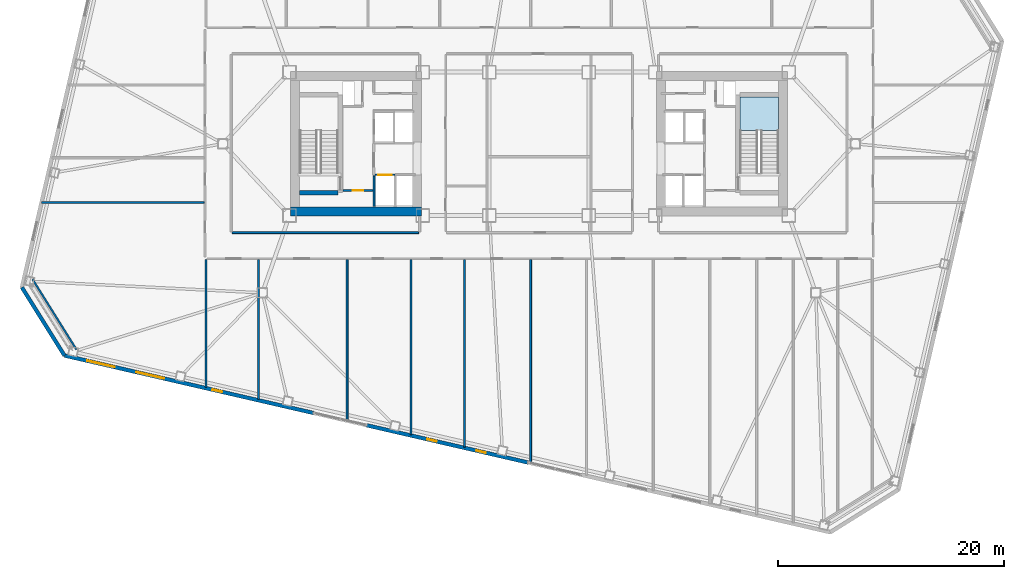
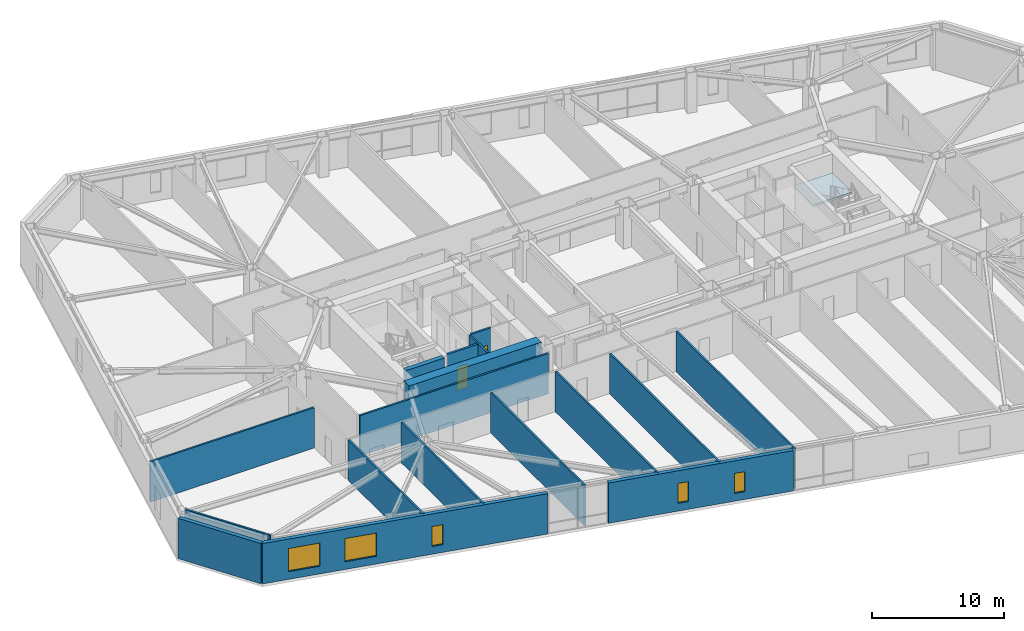
# One storey, part 9 of 19: 17 walls, 5 windows, 2 doors, 1 slab, 7 openings, 1 element without a shape of its own.
"""IFC4 building model written with IfcOpenShell, lengths in metres."""

import ifcopenshell
import ifcopenshell.guid

model = None  # the IFC model being written
_history = None  # IfcOwnerHistory: only IFC2X3 demands one
_inside = {}  # id of a spatial element -> (the spatial element, [elements in it])
_under = {}  # id of a project, library or spatial element -> (it, [spatial elements below it])
_declared = {}  # id of a project -> (the project, [libraries it declares])
_typed = {}  # id of a type object -> (the type object, [elements of that type])
_made_of = {}  # id of a material, layer set ... -> (it, [elements and type objects made of it])


def new_model(schema):
    """Start an empty IFC model of exactly this schema.

    Asked for "IFC4X3", IfcOpenShell would pick the latest addendum, in which some entities
    have other attributes; the version numbers below select the first issue.
    IFC2X3 requires an IfcOwnerHistory on every rooted entity: one is made here for all.
    """
    global model, _history
    if schema == "IFC4X3":
        model = ifcopenshell.file(schema_version=(4, 3, 0, 0))
    else:
        model = ifcopenshell.file(schema=schema)
    _inside.clear()
    _under.clear()
    _declared.clear()
    _typed.clear()
    _made_of.clear()
    _history = None
    if model.schema == "IFC2X3":
        org = make("IfcOrganization", Name="unknown")
        user = make(
            "IfcPersonAndOrganization",
            ThePerson=make("IfcPerson", FamilyName="unknown"),
            TheOrganization=org,
        )
        app = make(
            "IfcApplication",
            ApplicationDeveloper=org,
            Version="unknown",
            ApplicationFullName="unknown",
            ApplicationIdentifier="unknown",
        )
        _history = make(
            "IfcOwnerHistory",
            OwningUser=user,
            OwningApplication=app,
            ChangeAction="ADDED",
            CreationDate=0,
        )
    return model


def make(cls, **values):
    """One entity of the class cls with the attributes given. An attribute that is None is left unset."""
    return model.create_entity(
        cls, **{name: value for name, value in values.items() if value is not None}
    )


def rooted(cls, **values):
    """An entity with a GlobalId (a new one), such as an element, a storey or a relation."""
    return make(cls, GlobalId=ifcopenshell.guid.new(), OwnerHistory=_history, **values)


def si_unit(unit_type, name, prefix=None):
    """IfcSIUnit, for example si_unit("LENGTHUNIT", "METRE", prefix="MILLI")."""
    return make("IfcSIUnit", UnitType=unit_type, Prefix=prefix, Name=name)


def assignment(units):
    """IfcUnitAssignment: the units of a project."""
    return None if units is None else make("IfcUnitAssignment", Units=units)


def point(xyz):
    """IfcCartesianPoint."""
    return None if xyz is None else make("IfcCartesianPoint", Coordinates=xyz)


def direction(xyz):
    """IfcDirection."""
    return None if xyz is None else make("IfcDirection", DirectionRatios=xyz)


def frame(location, z_axis=None, x_axis=None):
    """IfcAxis2Placement3D, a coordinate frame: its origin and axes. An axis left out is left unset."""
    return make(
        "IfcAxis2Placement3D",
        Location=point(location),
        Axis=direction(z_axis),
        RefDirection=direction(x_axis),
    )


def frame_2d(location, x_axis=None):
    """IfcAxis2Placement2D, a coordinate frame in the plane: its origin and x axis."""
    return make(
        "IfcAxis2Placement2D", Location=point(location), RefDirection=direction(x_axis)
    )


def origin():
    """The frame at (0, 0, 0) with its axes left unset."""
    return frame((0.0, 0.0, 0.0))


def place(relative_to, where):
    """IfcLocalPlacement: puts the frame where relative to a parent placement (None: the world)."""
    return make(
        "IfcLocalPlacement", PlacementRelTo=relative_to, RelativePlacement=where
    )


def context(
    kind, dimensions, precision=None, world=None, true_north=None, identifier=None
):
    """IfcGeometricRepresentationContext, for example the 3D "Model" context."""
    return make(
        "IfcGeometricRepresentationContext",
        ContextIdentifier=identifier,
        ContextType=kind,
        CoordinateSpaceDimension=dimensions,
        Precision=precision,
        WorldCoordinateSystem=world,
        TrueNorth=true_north,
    )


def subcontext(parent, identifier, kind, view, scale=None):
    """IfcGeometricRepresentationSubContext, for example "Body" below "Model"."""
    return make(
        "IfcGeometricRepresentationSubContext",
        ContextIdentifier=identifier,
        ContextType=kind,
        ParentContext=parent,
        TargetScale=scale,
        TargetView=view,
    )


def project(units=None, contexts=None):
    """IfcProject with its units and contexts."""
    return rooted(
        "IfcProject",
        Name="project",
        RepresentationContexts=contexts,
        UnitsInContext=assignment(units),
    )


def spatial(cls, under=None, at=None, **own):
    """A site, building, storey or space (cls), placed at a placement, below another one or the project."""
    s = rooted(cls, ObjectPlacement=at, **own)
    if under is not None:
        _under.setdefault(under.id(), (under, []))[1].append(s)
    return s


def polyline(points):
    """IfcPolyline through the points."""
    return make("IfcPolyline", Points=[point(p) for p in points])


def profile(cls, at=None, kind="AREA", **sizes):
    """A parametric profile (cls). Its sizes go by their IFC names, for example OverallWidth=200.0."""
    return make(cls, ProfileType=kind, Position=at, **sizes)


def rectangle(**sizes):
    """IfcRectangleProfileDef."""
    return profile("IfcRectangleProfileDef", **sizes)


def outline(outer, holes=None, kind="AREA"):
    """IfcArbitraryClosedProfileDef: a profile drawn as a closed curve; with holes, ...WithVoids."""
    if holes is None:
        return make("IfcArbitraryClosedProfileDef", ProfileType=kind, OuterCurve=outer)
    return make(
        "IfcArbitraryProfileDefWithVoids",
        ProfileType=kind,
        OuterCurve=outer,
        InnerCurves=holes,
    )


def extrude(swept, where, along, depth):
    """IfcExtrudedAreaSolid: the profile swept, set in the frame where, extruded along a direction by depth."""
    return make(
        "IfcExtrudedAreaSolid",
        SweptArea=swept,
        Position=where,
        ExtrudedDirection=direction(along),
        Depth=depth,
    )


def shape(context_of_items, identifier, shape_type, items):
    """IfcShapeRepresentation: the items that make up one representation, for example the "Body"."""
    return make(
        "IfcShapeRepresentation",
        ContextOfItems=context_of_items,
        RepresentationIdentifier=identifier,
        RepresentationType=shape_type,
        Items=items,
    )


def material(Name=None, Category=None):
    """IfcMaterial."""
    return make("IfcMaterial", Name=Name, Category=Category)


def layer(
    of_material, thickness, ventilated=None, Name=None, Category=None, Priority=None
):
    """IfcMaterialLayer: one layer of a wall or slab, of a material (None: an air gap)."""
    return make(
        "IfcMaterialLayer",
        Material=of_material,
        LayerThickness=thickness,
        IsVentilated=ventilated,
        Name=Name,
        Category=Category,
        Priority=Priority,
    )


def layer_set(layers, Name=None):
    """IfcMaterialLayerSet."""
    return make("IfcMaterialLayerSet", MaterialLayers=layers, LayerSetName=Name)


def made_of(thing, what):
    """Note that an element or type object is made of a material, layer set ...; save() writes the relation."""
    if what is not None:
        _made_of.setdefault(what.id(), (what, []))[1].append(thing)
    return thing


def type_object(cls, material=None, **own):
    """A type object (cls), such as IfcWallType, which elements share."""
    return made_of(rooted(cls, **own), material)


def element(
    cls,
    number,
    at=None,
    inside=None,
    cuts=None,
    type_object=None,
    material=None,
    context=None,
    identifier="Body",
    shape_type=None,
    held_by="IfcProductDefinitionShape",
    body=None,
    shapes=None,
    **own,
):
    """One element of the class cls, such as IfcWall. Its Tag is "e" and its number.

    at: its placement. inside: the storey or other place that contains it. cuts: it is an
    opening in that element (IfcRelVoidsElement). A single representation is given by context,
    identifier, shape_type and body (its items); several are given by shapes. held_by: the class
    of the entity that holds the representations. save() writes the other relations.
    """
    e = rooted(cls, Tag="e%d" % number, ObjectPlacement=at, **own)
    if body is not None:
        shapes = [shape(context, identifier, shape_type, body)]
    if shapes is not None:
        e.Representation = make(held_by, Representations=shapes)
    if inside is not None:
        _inside.setdefault(inside.id(), (inside, []))[1].append(e)
    if cuts is not None:
        rooted(
            "IfcRelVoidsElement", RelatingBuildingElement=cuts, RelatedOpeningElement=e
        )
    if type_object is not None:
        _typed.setdefault(type_object.id(), (type_object, []))[1].append(e)
    return made_of(e, material)


def fill(opening, filler):
    """IfcRelFillsElement: the door or window that sits in an opening."""
    return rooted(
        "IfcRelFillsElement",
        RelatingOpeningElement=opening,
        RelatedBuildingElement=filler,
    )


def aggregate(whole, parts):
    """IfcRelAggregates: a whole, such as a stair, and the parts it consists of."""
    return rooted("IfcRelAggregates", RelatingObject=whole, RelatedObjects=parts)


def save(model, path):
    """Write the relations noted so far, then the file.

    IfcRelAggregates (storeys below a building ...), IfcRelContainedInSpatialStructure (elements
    in a storey), IfcRelDefinesByType, IfcRelAssociatesMaterial and IfcRelDeclares: one each for
    every whole, place, type object, material and project.
    """
    for whole, parts in _under.values():
        aggregate(whole, parts)
    for where, things in _inside.values():
        rooted(
            "IfcRelContainedInSpatialStructure",
            RelatedElements=things,
            RelatingStructure=where,
        )
    for kind, things in _typed.values():
        rooted("IfcRelDefinesByType", RelatedObjects=things, RelatingType=kind)
    for what, things in _made_of.values():
        rooted("IfcRelAssociatesMaterial", RelatedObjects=things, RelatingMaterial=what)
    for by, libraries in _declared.values():
        rooted("IfcRelDeclares", RelatingContext=by, RelatedDefinitions=libraries)
    model.write(path)


model = new_model("IFC4")

# Units and contexts
model_context = context("Model", 3, precision=1e-05, world=origin(), true_north=direction((0.0, 1.0)))
body_context = subcontext(model_context, "Body", "Model", "MODEL_VIEW")
ifc_project = project(units=[si_unit("LENGTHUNIT", "METRE"), si_unit("AREAUNIT", "SQUARE_METRE"), si_unit("VOLUMEUNIT", "CUBIC_METRE"), si_unit("PLANEANGLEUNIT", "RADIAN"), si_unit("MASSUNIT", "GRAM", prefix="KILO")], contexts=[model_context])

# Site, building, storey
site_placement = place(None, origin())
site = spatial("IfcSite", under=ifc_project, at=site_placement, CompositionType="ELEMENT")
building_placement = place(site_placement, origin())
building = spatial("IfcBuilding", under=site, at=building_placement, Name="Tavrogorsk Clinical Tower", CompositionType="ELEMENT")
storey_placement = place(building_placement, frame((0.0, 0.0, 75.39990234375)))
storey = spatial("IfcBuildingStorey", under=building, at=storey_placement, Name="L16", CompositionType="ELEMENT", Elevation=75.39990234375)

# Stair, slab
ifc_material_1 = material(Name="Concrete B60", Category="concrete")
stair_type = type_object("IfcStairType", Name="CoreStairAssembly", PredefinedType="HALF_TURN_STAIR", material=ifc_material_1)
stair_placement = place(storey_placement, origin())
stair = element("IfcStair", 1, at=stair_placement, inside=storey, type_object=stair_type, Name="L16 ST-E", PredefinedType="HALF_TURN_STAIR")
ifc_material_2 = material(Name="Concrete B60", Category="concrete")
ifc_layer_1 = layer(ifc_material_2, 0.199951171875)
ifc_layer_set_1 = layer_set([ifc_layer_1], Name="Concrete B60")
slab_type = type_object("IfcSlabType", Name="StairLanding_200", PredefinedType="LANDING", material=ifc_layer_set_1)
slab_placement = place(storey_placement, frame((0.0, 0.0, 1.800048828125)))
slab = element("IfcSlab", 2, at=slab_placement, type_object=slab_type, Name="ST-E landing 1", PredefinedType="LANDING", context=body_context, shape_type="SweptSolid", body=[
    extrude(outline(polyline([(21.199951171875, 1.1650390625), (21.199951171875, 4.125), (17.800048828125, 4.125), (17.800048828125, 1.1650390625), (21.199951171875, 1.1650390625)])), origin(), (0.0, 0.0, 1.0), 0.199951171875),
])
aggregate(stair, [slab])

# Wall, opening, door
ifc_material_3 = material(Name="Concrete B60", Category="concrete")
ifc_layer_2 = layer(ifc_material_3, 0.199951171875)
ifc_layer_set_2 = layer_set([ifc_layer_2], Name="Concrete B60")
wall_type_1 = type_object("IfcWallType", Name="CoreFireWall_200", PredefinedType="SOLIDWALL", material=ifc_layer_set_2)
wall_1_placement = place(storey_placement, frame((-17.3798828125, -4.139892578125, 0.0), z_axis=(0.0, 0.0, 1.0), x_axis=(1.0, 0.0, 0.0)))
wall_1 = element("IfcWall", 3, at=wall_1_placement, inside=storey, type_object=wall_type_1, Name="L16 Core West South Core Room Fire Wall", PredefinedType="SOLIDWALL", context=body_context, shape_type="SweptSolid", body=[
    extrude(rectangle(XDim=2.659912109375, YDim=0.199951171875, at=frame_2d((1.330078125, 0.0))), origin(), (0.0, 0.0, 1.0), 3.739990234375),
])
opening_1_placement = place(wall_1_placement, frame((0.8798828125, 0.0, 0.0)))
opening_1 = element("IfcOpeningElement", 4, at=opening_1_placement, cuts=wall_1, Name="Opening ID-02", PredefinedType="OPENING", context=body_context, shape_type="SweptSolid", body=[
    extrude(rectangle(XDim=0.949951171875, YDim=2.199951171875, at=frame_2d((0.47509765625, 1.10009765625))), frame((0.0, 0.10986328125, 0.0), z_axis=(0.0, -1.0, 0.0), x_axis=(1.0, 0.0, 0.0)), (0.0, 0.0, 1.0), 0.219970703125),
])
ifc_material_4 = material(Name="Laminated timber leaf on aluminium frame", Category="wood")
door_type_1 = type_object("IfcDoorType", Name="InteriorDoor_ID02_950", OperationType="NOTDEFINED", PredefinedType="DOOR", material=ifc_material_4)
door_1_placement = place(opening_1_placement, origin())
door_1 = element("IfcDoor", 5, at=door_1_placement, inside=storey, type_object=door_type_1, Name="L16 Core West South Core Room Door", OperationType="SINGLE_SWING_RIGHT", OverallHeight=2.199951171875, OverallWidth=0.949951171875, PredefinedType="DOOR", context=body_context, shape_type="SweptSolid", body=[
    extrude(rectangle(XDim=0.949951171875, YDim=2.199951171875, at=frame_2d((0.47509765625, 1.10009765625))), frame((0.0, 0.02490234375, 0.0), z_axis=(0.0, -1.0, 0.0), x_axis=(1.0, 0.0, 0.0)), (0.0, 0.0, 1.0), 0.050048828125),
])
fill(opening_1, door_1)

# Walls
ifc_material_5 = material(Name="Lightweight concrete blockwork B15", Category="masonry")
ifc_layer_3 = layer(ifc_material_5, 0.159912109375)
ifc_layer_set_3 = layer_set([ifc_layer_3], Name="Lightweight concrete blockwork B15")
wall_type_2 = type_object("IfcWallType", Name="PartitionWall_160", PredefinedType="PARTITIONING", material=ifc_layer_set_3)
wall_2_placement = place(storey_placement, frame((-44.85986328125, -11.9892578125, 0.0), z_axis=(0.0, 0.0, 1.0), x_axis=(0.52991239767, -0.848052386823, 0.0)))
element("IfcWall", 6, at=wall_2_placement, inside=storey, type_object=wall_type_2, Name="L16 Corner Exoskeleton Brace Furring Wall 4", PredefinedType="PARTITIONING", context=body_context, shape_type="SweptSolid", body=[
    extrude(rectangle(XDim=7.35400390625, YDim=0.159912109375, at=frame_2d((3.677001953125, 0.0))), origin(), (0.0, 0.0, 1.0), 3.739990234375),
])
wall_3_placement = place(storey_placement, frame((-27.18505859375, -7.8701171875, 0.0), z_axis=(0.0, 0.0, 1.0), x_axis=(1.0, 0.0, 0.0)))
element("IfcWall", 7, at=wall_3_placement, inside=storey, type_object=wall_type_2, Name="L16 Corridor Partition 18", PredefinedType="PARTITIONING", context=body_context, shape_type="SweptSolid", body=[
    extrude(rectangle(XDim=16.52001953125, YDim=0.159912109375, at=frame_2d((8.260009765625, 0.0))), origin(), (0.0, 0.0, 1.0), 3.739990234375),
])
wall_4_placement = place(storey_placement, frame((-29.5, -21.570556640625, 0.0), z_axis=(0.0, 0.0, 1.0), x_axis=(0.0, 1.0, 0.0)))
element("IfcWall", 8, at=wall_4_placement, inside=storey, type_object=wall_type_2, Name="L16 SW Wing Closure Partition", PredefinedType="PARTITIONING", context=body_context, shape_type="SweptSolid", body=[
    extrude(rectangle(XDim=11.3056640625, YDim=0.159912109375, at=frame_2d((5.65283203125, 0.0))), origin(), (0.0, 0.0, 1.0), 3.739990234375),
])
wall_5_placement = place(storey_placement, frame((-24.85009765625, -22.64404296875, 0.0), z_axis=(0.0, 0.0, 1.0), x_axis=(0.0, 1.0, 0.0)))
element("IfcWall", 9, at=wall_5_placement, inside=storey, type_object=wall_type_2, Name="L16 South Room Partition 1", PredefinedType="PARTITIONING", context=body_context, shape_type="SweptSolid", body=[
    extrude(rectangle(XDim=12.379150390625, YDim=0.159912109375, at=frame_2d((6.189453125, 0.0))), origin(), (0.0, 0.0, 1.0), 3.739990234375),
])
wall_6_placement = place(storey_placement, frame((-17.0, -24.456298828125, 0.0), z_axis=(0.0, 0.0, 1.0), x_axis=(0.0, 1.0, 0.0)))
element("IfcWall", 10, at=wall_6_placement, inside=storey, type_object=wall_type_2, Name="L16 South Room Partition 2", PredefinedType="PARTITIONING", context=body_context, shape_type="SweptSolid", body=[
    extrude(rectangle(XDim=14.19140625, YDim=0.159912109375, at=frame_2d((7.095703125, 0.0))), origin(), (0.0, 0.0, 1.0), 3.739990234375),
])
wall_7_placement = place(storey_placement, frame((-6.60009765625, -26.857421875, 0.0), z_axis=(0.0, 0.0, 1.0), x_axis=(0.0, 1.0, 0.0)))
element("IfcWall", 11, at=wall_7_placement, inside=storey, type_object=wall_type_2, Name="L16 South Room Partition 3", PredefinedType="PARTITIONING", context=body_context, shape_type="SweptSolid", body=[
    extrude(rectangle(XDim=16.592529296875, YDim=0.159912109375, at=frame_2d((8.29638671875, 0.0))), origin(), (0.0, 0.0, 1.0), 3.739990234375),
])
wall_8_placement = place(storey_placement, frame((-11.35009765625, -25.7607421875, 0.0), z_axis=(0.0, 0.0, 1.0), x_axis=(0.0, 1.0, 0.0)))
element("IfcWall", 12, at=wall_8_placement, inside=storey, type_object=wall_type_2, Name="L16 South Sub-Partition 3", PredefinedType="PARTITIONING", context=body_context, shape_type="SweptSolid", body=[
    extrude(rectangle(XDim=15.495849609375, YDim=0.159912109375, at=frame_2d((7.748046875, 0.0))), origin(), (0.0, 0.0, 1.0), 3.739990234375),
])
wall_9_placement = place(storey_placement, frame((-0.75, -28.2080078125, 0.0), z_axis=(0.0, 0.0, 1.0), x_axis=(0.0, 1.0, 0.0)))
element("IfcWall", 13, at=wall_9_placement, inside=storey, type_object=wall_type_2, Name="L16 South Sub-Partition 4", PredefinedType="PARTITIONING", context=body_context, shape_type="SweptSolid", body=[
    extrude(rectangle(XDim=17.943115234375, YDim=0.159912109375, at=frame_2d((8.9716796875, 0.0))), origin(), (0.0, 0.0, 1.0), 3.739990234375),
])
wall_10_placement = place(storey_placement, frame((-44.0419921875, -5.199951171875, 0.0), z_axis=(0.0, 0.0, 1.0), x_axis=(1.0, 0.0, 0.0)))
element("IfcWall", 14, at=wall_10_placement, inside=storey, type_object=wall_type_2, Name="L16 W Wing Divider 1", PredefinedType="PARTITIONING", context=body_context, shape_type="SweptSolid", body=[
    extrude(rectangle(XDim=14.376953125, YDim=0.159912109375, at=frame_2d((7.1884765625, 0.0))), origin(), (0.0, 0.0, 1.0), 3.739990234375),
])

# Wall, openings, windows
ifc_material_6 = material(Name="Precast concrete B45 with limestone cladding", Category="masonry")
ifc_layer_4 = layer(ifc_material_6, 0.340087890625)
ifc_layer_set_4 = layer_set([ifc_layer_4], Name="Precast concrete B45 with limestone cladding")
wall_type_3 = type_object("IfcWallType", Name="PrecastLimestoneWall_340", PredefinedType="STANDARD", material=ifc_layer_set_4)
wall_11_placement = place(storey_placement, frame((-42.028564453125, -18.75, 0.0), z_axis=(0.0, 0.0, 1.0), x_axis=(0.97436993772, -0.224951604723, 0.0)))
wall_11 = element("IfcWall", 15, at=wall_11_placement, inside=storey, type_object=wall_type_3, Name="L16 S Limestone Facade Wall 1", PredefinedType="STANDARD", context=body_context, shape_type="SweptSolid", body=[
    extrude(rectangle(XDim=22.6513671875, YDim=0.340087890625, at=frame_2d((11.32568359375, 0.0))), origin(), (0.0, 0.0, 1.0), 3.739990234375),
])
opening_2_placement = place(wall_11_placement, frame((2.06201171875, 0.0, 0.719970703125)))
opening_2 = element("IfcOpeningElement", 16, at=opening_2_placement, cuts=wall_11, Name="Opening WN-11", PredefinedType="OPENING", context=body_context, shape_type="SweptSolid", body=[
    extrude(rectangle(XDim=2.5, YDim=2.14990234375, at=frame_2d((1.25, 1.074951171875))), frame((0.0, 0.179931640625, 0.0), z_axis=(0.0, -1.0, 0.0), x_axis=(1.0, 0.0, 0.0)), (0.0, 0.0, 1.0), 0.360107421875),
])
opening_3_placement = place(wall_11_placement, frame((6.54638671875, 0.0, 0.719970703125)))
opening_3 = element("IfcOpeningElement", 17, at=opening_3_placement, cuts=wall_11, Name="Opening WN-11", PredefinedType="OPENING", context=body_context, shape_type="SweptSolid", body=[
    extrude(rectangle(XDim=2.5, YDim=2.14990234375, at=frame_2d((1.25, 1.074951171875))), frame((0.0, 0.179931640625, 0.0), z_axis=(0.0, -1.0, 0.0), x_axis=(1.0, 0.0, 0.0)), (0.0, 0.0, 1.0), 0.360107421875),
])
opening_4_placement = place(wall_11_placement, frame((13.460693359375, 0.0, 0.719970703125)))
opening_4 = element("IfcOpeningElement", 18, at=opening_4_placement, cuts=wall_11, Name="Opening WN-06", PredefinedType="OPENING", context=body_context, shape_type="SweptSolid", body=[
    extrude(rectangle(XDim=0.85009765625, YDim=1.85009765625, at=frame_2d((0.425048828125, 0.925048828125))), frame((0.0, 0.179931640625, 0.0), z_axis=(0.0, -1.0, 0.0), x_axis=(1.0, 0.0, 0.0)), (0.0, 0.0, 1.0), 0.360107421875),
])
ifc_material_7 = material(Name="Thermally broken aluminium frame and triple IGU", Category="aluminium")
window_type_1 = type_object("IfcWindowType", Name="MullionSubWin_850x1850", PartitioningType="SINGLE_PANEL", PredefinedType="WINDOW", material=ifc_material_7)
window_1_placement = place(opening_4_placement, origin())
window_1 = element("IfcWindow", 19, at=window_1_placement, inside=storey, type_object=window_type_1, Name="L16 S Mullion Split Window 03B", OverallHeight=1.85009765625, OverallWidth=0.85009765625, PartitioningType="SINGLE_PANEL", PredefinedType="WINDOW", context=body_context, shape_type="SweptSolid", body=[
    extrude(rectangle(XDim=0.85009765625, YDim=1.85009765625, at=frame_2d((0.425048828125, 0.925048828125))), frame((0.0, 0.030029296875, 0.0), z_axis=(0.0, -1.0, 0.0), x_axis=(1.0, 0.0, 0.0)), (0.0, 0.0, 1.0), 0.06005859375),
])
fill(opening_4, window_1)
ifc_material_8 = material(Name="Thermally broken aluminium frame and triple IGU", Category="aluminium")
window_type_2 = type_object("IfcWindowType", Name="StepDownWin_2500x2150", PartitioningType="TRIPLE_PANEL_HORIZONTAL", PredefinedType="WINDOW", material=ifc_material_8)
window_2_placement = place(opening_2_placement, origin())
window_2 = element("IfcWindow", 20, at=window_2_placement, inside=storey, type_object=window_type_2, Name="L16 S Chicago Window 01", OverallHeight=2.14990234375, OverallWidth=2.5, PartitioningType="SINGLE_PANEL", PredefinedType="WINDOW", context=body_context, shape_type="SweptSolid", body=[
    extrude(rectangle(XDim=2.5, YDim=2.14990234375, at=frame_2d((1.25, 1.074951171875))), frame((0.0, 0.030029296875, 0.0), z_axis=(0.0, -1.0, 0.0), x_axis=(1.0, 0.0, 0.0)), (0.0, 0.0, 1.0), 0.06005859375),
])
fill(opening_2, window_2)
window_3_placement = place(opening_3_placement, origin())
window_3 = element("IfcWindow", 21, at=window_3_placement, inside=storey, type_object=window_type_2, Name="L16 S Chicago Window 02", OverallHeight=2.14990234375, OverallWidth=2.5, PartitioningType="SINGLE_PANEL", PredefinedType="WINDOW", context=body_context, shape_type="SweptSolid", body=[
    extrude(rectangle(XDim=2.5, YDim=2.14990234375, at=frame_2d((1.25, 1.074951171875))), frame((0.0, 0.030029296875, 0.0), z_axis=(0.0, -1.0, 0.0), x_axis=(1.0, 0.0, 0.0)), (0.0, 0.0, 1.0), 0.06005859375),
])
fill(opening_3, window_3)

wall_12_placement = place(storey_placement, frame((-15.28076171875, -24.925048828125, 0.0), z_axis=(0.0, 0.0, 1.0), x_axis=(0.974370193991, -0.22495049469, 0.0)))
wall_12 = element("IfcWall", 22, at=wall_12_placement, inside=storey, type_object=wall_type_3, Name="L16 S Limestone Facade Wall 2", PredefinedType="STANDARD", context=body_context, shape_type="SweptSolid", body=[
    extrude(rectangle(XDim=14.697265625, YDim=0.340087890625, at=frame_2d((7.3486328125, 0.0))), origin(), (0.0, 0.0, 1.0), 3.739990234375),
])
opening_5_placement = place(wall_12_placement, frame((5.50634765625, 0.0, 0.719970703125)))
opening_5 = element("IfcOpeningElement", 23, at=opening_5_placement, cuts=wall_12, Name="Opening WN-06", PredefinedType="OPENING", context=body_context, shape_type="SweptSolid", body=[
    extrude(rectangle(XDim=0.85009765625, YDim=1.85009765625, at=frame_2d((0.425048828125, 0.925048828125))), frame((0.0, 0.179931640625, 0.0), z_axis=(0.0, -1.0, 0.0), x_axis=(1.0, 0.0, 0.0)), (0.0, 0.0, 1.0), 0.360107421875),
])
opening_6_placement = place(wall_12_placement, frame((9.99072265625, 0.0, 0.719970703125)))
opening_6 = element("IfcOpeningElement", 24, at=opening_6_placement, cuts=wall_12, Name="Opening WN-06", PredefinedType="OPENING", context=body_context, shape_type="SweptSolid", body=[
    extrude(rectangle(XDim=0.85009765625, YDim=1.85009765625, at=frame_2d((0.425048828125, 0.925048828125))), frame((0.0, 0.179931640625, 0.0), z_axis=(0.0, -1.0, 0.0), x_axis=(1.0, 0.0, 0.0)), (0.0, 0.0, 1.0), 0.360107421875),
])
window_4_placement = place(opening_5_placement, origin())
window_4 = element("IfcWindow", 25, at=window_4_placement, inside=storey, type_object=window_type_1, Name="L16 S Mullion Split Window 05B", OverallHeight=1.85009765625, OverallWidth=0.85009765625, PartitioningType="SINGLE_PANEL", PredefinedType="WINDOW", context=body_context, shape_type="SweptSolid", body=[
    extrude(rectangle(XDim=0.85009765625, YDim=1.85009765625, at=frame_2d((0.425048828125, 0.925048828125))), frame((0.0, 0.030029296875, 0.0), z_axis=(0.0, -1.0, 0.0), x_axis=(1.0, 0.0, 0.0)), (0.0, 0.0, 1.0), 0.06005859375),
])
fill(opening_5, window_4)
window_5_placement = place(opening_6_placement, origin())
window_5 = element("IfcWindow", 26, at=window_5_placement, inside=storey, type_object=window_type_1, Name="L16 S Mullion Split Window 06B", OverallHeight=1.85009765625, OverallWidth=0.85009765625, PartitioningType="SINGLE_PANEL", PredefinedType="WINDOW", context=body_context, shape_type="SweptSolid", body=[
    extrude(rectangle(XDim=0.85009765625, YDim=1.85009765625, at=frame_2d((0.425048828125, 0.925048828125))), frame((0.0, 0.030029296875, 0.0), z_axis=(0.0, -1.0, 0.0), x_axis=(1.0, 0.0, 0.0)), (0.0, 0.0, 1.0), 0.06005859375),
])
fill(opening_6, window_5)

# Wall
wall_13_placement = place(storey_placement, frame((-45.798095703125, -12.71728515625, 0.0), z_axis=(0.0, 0.0, 1.0), x_axis=(0.529906387556, -0.848056142261, 0.0)))
element("IfcWall", 27, at=wall_13_placement, inside=storey, type_object=wall_type_3, Name="L16 Chamfered Corner Wall 4", PredefinedType="STANDARD", context=body_context, shape_type="SweptSolid", body=[
    extrude(rectangle(XDim=7.113525390625, YDim=0.340087890625, at=frame_2d((3.556640625, 0.0))), origin(), (0.0, 0.0, 1.0), 3.739990234375),
])

# Wall, opening, door
ifc_material_9 = material(Name="Lightweight concrete blockwork B25", Category="masonry")
ifc_layer_5 = layer(ifc_material_9, 0.159912109375)
ifc_layer_set_5 = layer_set([ifc_layer_5], Name="Lightweight concrete blockwork B25")
wall_type_4 = type_object("IfcWallType", Name="ShaftWall_160", PredefinedType="PARTITIONING", material=ifc_layer_set_5)
wall_14_placement = place(storey_placement, frame((-14.530029296875, -2.75, 0.0), z_axis=(0.0, 0.0, 1.0), x_axis=(1.0, 0.0, 0.0)))
wall_14 = element("IfcWall", 28, at=wall_14_placement, inside=storey, type_object=wall_type_4, Name="L16 LP-L1 Lift Shaft Portal Wall", PredefinedType="PARTITIONING", context=body_context, shape_type="SweptSolid", body=[
    extrude(rectangle(XDim=1.760009765625, YDim=0.159912109375, at=frame_2d((0.8798828125, 0.0))), origin(), (0.0, 0.0, 1.0), 3.739990234375),
])
opening_7_placement = place(wall_14_placement, frame((0.280029296875, 0.0, 0.0)))
opening_7 = element("IfcOpeningElement", 29, at=opening_7_placement, cuts=wall_14, Name="Opening LD", PredefinedType="OPENING", context=body_context, shape_type="SweptSolid", body=[
    extrude(rectangle(XDim=1.199951171875, YDim=2.199951171875, at=frame_2d((0.60009765625, 1.10009765625))), frame((0.0, 0.08984375, 0.0), z_axis=(0.0, -1.0, 0.0), x_axis=(1.0, 0.0, 0.0)), (0.0, 0.0, 1.0), 0.179931640625),
])
ifc_material_10 = material(Name="Brushed stainless steel AISI 304 sliding doors", Category="steel")
door_type_2 = type_object("IfcDoorType", Name="LiftLandingDoor_LD_1200", OperationType="SLIDING_TO_LEFT", PredefinedType="DOOR", material=ifc_material_10)
door_2_placement = place(opening_7_placement, origin())
door_2 = element("IfcDoor", 30, at=door_2_placement, inside=storey, type_object=door_type_2, Name="L16 LP-L1 Sliding Lift Landing Door", OperationType="SLIDING_TO_LEFT", OverallHeight=2.199951171875, OverallWidth=1.199951171875, PredefinedType="DOOR", context=body_context, shape_type="SweptSolid", body=[
    extrude(rectangle(XDim=1.199951171875, YDim=2.199951171875, at=frame_2d((0.60009765625, 1.10009765625))), frame((0.0, 0.02490234375, 0.0), z_axis=(0.0, -1.0, 0.0), x_axis=(1.0, 0.0, 0.0)), (0.0, 0.0, 1.0), 0.050048828125),
])
fill(opening_7, door_2)

# Walls
wall_15_placement = place(storey_placement, frame((-14.610107421875, -5.5400390625, 0.0), z_axis=(0.0, 0.0, 1.0), x_axis=(0.0, 1.0, 0.0)))
element("IfcWall", 31, at=wall_15_placement, inside=storey, type_object=wall_type_4, Name="L16 LP-L1 Lift Hoistway Outer Cheek Wall", PredefinedType="PARTITIONING", context=body_context, shape_type="SweptSolid", body=[
    extrude(rectangle(XDim=2.699951171875, YDim=0.159912109375, at=frame_2d((1.35009765625, 0.0))), origin(), (0.0, 0.0, 1.0), 3.739990234375),
])
ifc_material_11 = material(Name="Concrete B80", Category="concrete")
ifc_layer_6 = layer(ifc_material_11, 0.39990234375)
ifc_layer_set_6 = layer_set([ifc_layer_6], Name="Concrete B80")
wall_type_5 = type_object("IfcWallType", Name="ShearWall_400", PredefinedType="SHEAR", material=ifc_layer_set_6)
wall_16_placement = place(storey_placement, frame((-21.199951171875, -4.324951171875, 0.0), z_axis=(0.0, 0.0, 1.0), x_axis=(1.0, 0.0, 0.0)))
element("IfcWall", 32, at=wall_16_placement, inside=storey, type_object=wall_type_5, Name="L16 Core West Stair Shaft South Shear Wall", PredefinedType="SHEAR", context=body_context, shape_type="SweptSolid", body=[
    extrude(rectangle(XDim=3.39990234375, YDim=0.39990234375, at=frame_2d((1.699951171875, 0.0))), origin(), (0.0, 0.0, 1.0), 3.739990234375),
])
ifc_material_12 = material(Name="Concrete B80", Category="concrete")
ifc_layer_7 = layer(ifc_material_12, 0.800048828125)
ifc_layer_set_7 = layer_set([ifc_layer_7], Name="Concrete B80")
wall_type_6 = type_object("IfcWallType", Name="ShearWall_800", PredefinedType="SHEAR", material=ifc_layer_set_7)
wall_17_placement = place(storey_placement, frame((-22.0, -6.0, 0.0), z_axis=(0.0, 0.0, 1.0), x_axis=(1.0, 0.0, 0.0)))
element("IfcWall", 33, at=wall_17_placement, inside=storey, type_object=wall_type_6, Name="L16 Core West South Shear Wall", PredefinedType="SHEAR", context=body_context, shape_type="SweptSolid", body=[
    extrude(rectangle(XDim=11.60009765625, YDim=0.800048828125, at=frame_2d((5.800048828125, 0.0))), origin(), (0.0, 0.0, 1.0), 3.739990234375),
])

save(model, "model.ifc")
